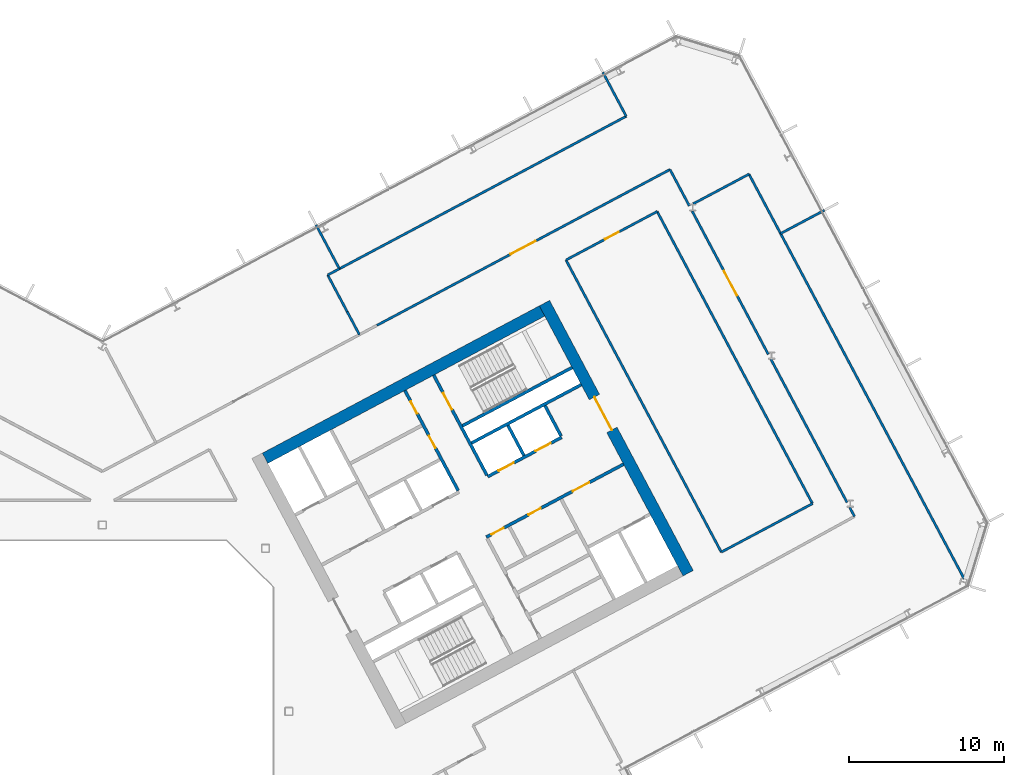
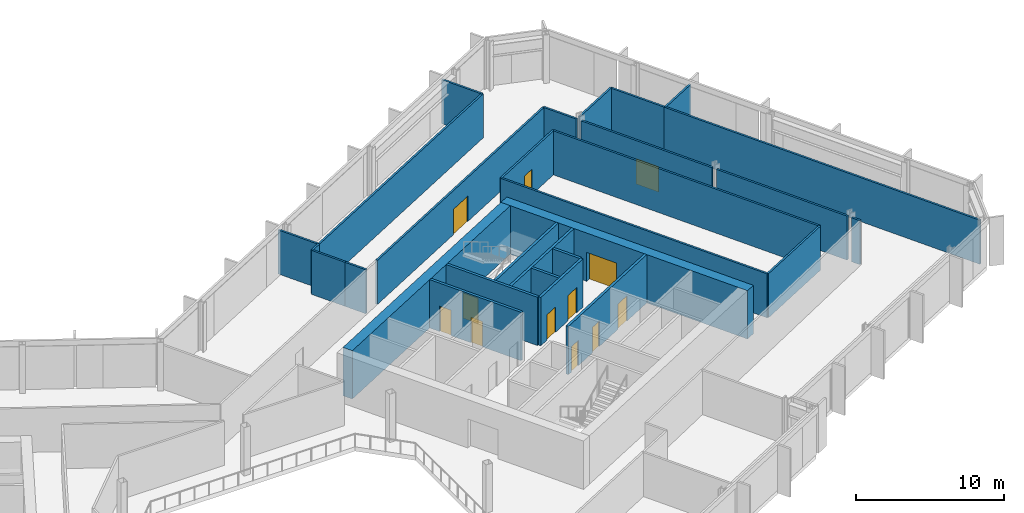
# One storey, part 17 of 28: 29 walls, 12 doors, 12 openings.
"""IFC4 building model written with IfcOpenShell, lengths in metres."""

from ifc_helpers import new_model, si_unit, direction, frame, frame_2d, origin, place, context, subcontext, project, spatial, rectangle, extrude, material, layer, layer_set, type_object, element, fill, save


model = new_model("IFC4")

# Units and contexts
model_context = context("Model", 3, precision=1e-05, world=origin(), true_north=direction((0.0, 1.0)))
body_context = subcontext(model_context, "Body", "Model", "MODEL_VIEW")
ifc_project = project(units=[si_unit("LENGTHUNIT", "METRE"), si_unit("AREAUNIT", "SQUARE_METRE"), si_unit("VOLUMEUNIT", "CUBIC_METRE"), si_unit("PLANEANGLEUNIT", "RADIAN"), si_unit("MASSUNIT", "GRAM", prefix="KILO")], contexts=[model_context])

# Site, building, storey
site_placement = place(None, origin())
site = spatial("IfcSite", under=ifc_project, at=site_placement, CompositionType="ELEMENT")
building_placement = place(site_placement, origin())
building = spatial("IfcBuilding", under=site, at=building_placement, Name="Cormorant Relay Tower", CompositionType="ELEMENT")
storey_placement = place(building_placement, frame((0.0, 0.0, 166.199951171875)))
storey = spatial("IfcBuildingStorey", under=building, at=storey_placement, Name="L35", CompositionType="ELEMENT", Elevation=166.199951171875)

# Wall
ifc_material_1 = material(Name="Concrete 40 MPa", Category="concrete")
ifc_layer_1 = layer(ifc_material_1, 0.199951171875)
ifc_layer_set_1 = layer_set([ifc_layer_1], Name="Core internal wall 200")
wall_type_1 = type_object("IfcWallType", Name="Core internal wall 200", PredefinedType="SOLIDWALL", material=ifc_layer_set_1)
wall_1_placement = place(storey_placement, frame((27.144287109375, 16.471435546875, 0.0), z_axis=(0.0, 0.0, 1.0), x_axis=(-0.469401318492, 0.882984938828, 0.0)))
element("IfcWall", 1, at=wall_1_placement, inside=storey, type_object=wall_type_1, Name="L35 core B shaft and room wall", PredefinedType="SOLIDWALL", context=body_context, shape_type="SweptSolid", body=[
    extrude(rectangle(XDim=2.199951171875, YDim=0.199951171875, at=frame_2d((1.10009765625, 0.0))), origin(), (0.0, 0.0, 1.0), 4.0),
])

# Wall, openings, doors
ifc_material_2 = material(Name="Concrete 50 MPa", Category="concrete")
ifc_layer_2 = layer(ifc_material_2, 0.199951171875)
ifc_layer_set_2 = layer_set([ifc_layer_2], Name="Core shaft wall 200")
wall_type_2 = type_object("IfcWallType", Name="Core shaft wall 200", PredefinedType="SHEAR", material=ifc_layer_set_2)
wall_2_placement = place(storey_placement, frame((22.90625, 14.218017578125, 0.0), z_axis=(0.0, 0.0, 1.0), x_axis=(-0.469480409012, 0.88294288918, 0.0)))
wall_2 = element("IfcWall", 2, at=wall_2_placement, inside=storey, type_object=wall_type_2, Name="L35 core B shaft wall", PredefinedType="SHEAR", context=body_context, shape_type="SweptSolid", body=[
    extrude(rectangle(XDim=7.300048828125, YDim=0.199951171875, at=frame_2d((3.64990234375, 0.0))), origin(), (0.0, 0.0, 1.0), 4.0),
])
opening_1_placement = place(wall_2_placement, frame((3.10009765625, 0.0, 0.0)))
opening_1 = element("IfcOpeningElement", 3, at=opening_1_placement, cuts=wall_2, Name="Opening CDD-215", PredefinedType="OPENING", context=body_context, shape_type="SweptSolid", body=[
    extrude(rectangle(XDim=0.89990234375, YDim=2.10009765625, at=frame_2d((0.449951171875, 1.050048828125))), frame((0.0, 0.10986328125, 0.0), z_axis=(0.0, -1.0, 0.0), x_axis=(1.0, 0.0, 0.0)), (0.0, 0.0, 1.0), 0.219970703125),
])
opening_2_placement = place(wall_2_placement, frame((5.60009765625, 0.0, 0.0)))
opening_2 = element("IfcOpeningElement", 4, at=opening_2_placement, cuts=wall_2, Name="Opening CDD-216", PredefinedType="OPENING", context=body_context, shape_type="SweptSolid", body=[
    extrude(rectangle(XDim=0.89990234375, YDim=2.10009765625, at=frame_2d((0.449951171875, 1.050048828125))), frame((0.0, 0.10986328125, 0.0), z_axis=(0.0, -1.0, 0.0), x_axis=(1.0, 0.0, 0.0)), (0.0, 0.0, 1.0), 0.219970703125),
])
ifc_material_3 = material(Name="Steel fire door", Category="steel")
door_type_1 = type_object("IfcDoorType", Name="Core room door 900x2100", OperationType="SINGLE_SWING_LEFT", PredefinedType="DOOR", material=ifc_material_3)
door_1_placement = place(opening_1_placement, origin())
door_1 = element("IfcDoor", 5, at=door_1_placement, inside=storey, type_object=door_type_1, Name="Core room door 900x2100", OperationType="SINGLE_SWING_RIGHT", OverallHeight=2.10009765625, OverallWidth=0.89990234375, PredefinedType="DOOR", context=body_context, shape_type="SweptSolid", body=[
    extrude(rectangle(XDim=0.89990234375, YDim=2.10009765625, at=frame_2d((0.449951171875, 1.050048828125))), frame((0.0, 0.02490234375, 0.0), z_axis=(0.0, -1.0, 0.0), x_axis=(1.0, 0.0, 0.0)), (0.0, 0.0, 1.0), 0.050048828125),
])
fill(opening_1, door_1)
door_2_placement = place(opening_2_placement, origin())
door_2 = element("IfcDoor", 6, at=door_2_placement, inside=storey, type_object=door_type_1, Name="Core room door 900x2100", OperationType="SINGLE_SWING_LEFT", OverallHeight=2.10009765625, OverallWidth=0.89990234375, PredefinedType="DOOR", context=body_context, shape_type="SweptSolid", body=[
    extrude(rectangle(XDim=0.89990234375, YDim=2.10009765625, at=frame_2d((0.449951171875, 1.050048828125))), frame((0.0, 0.02490234375, 0.0), z_axis=(0.0, -1.0, 0.0), x_axis=(1.0, 0.0, 0.0)), (0.0, 0.0, 1.0), 0.050048828125),
])
fill(opening_2, door_2)

# Wall, opening, door
wall_3_placement = place(storey_placement, frame((24.760498046875, 15.2041015625, 0.0), z_axis=(0.0, 0.0, 1.0), x_axis=(-0.469494272526, 0.882935517501, 0.0)))
wall_3 = element("IfcWall", 7, at=wall_3_placement, inside=storey, type_object=wall_type_2, Name="L35 core B shaft wall", PredefinedType="SHEAR", context=body_context, shape_type="SweptSolid", body=[
    extrude(rectangle(XDim=7.2998046875, YDim=0.199951171875, at=frame_2d((3.64990234375, 0.0))), origin(), (0.0, 0.0, 1.0), 4.0),
])
opening_3_placement = place(wall_3_placement, frame((4.800048828125, 0.0, 0.0)))
opening_3 = element("IfcOpeningElement", 8, at=opening_3_placement, cuts=wall_3, Name="Opening CDB-037", PredefinedType="OPENING", context=body_context, shape_type="SweptSolid", body=[
    extrude(rectangle(XDim=1.199951171875, YDim=2.10009765625, at=frame_2d((0.60009765625, 1.050048828125))), frame((0.0, 0.10986328125, 0.0), z_axis=(0.0, -1.0, 0.0), x_axis=(1.0, 0.0, 0.0)), (0.0, 0.0, 1.0), 0.219970703125),
])
ifc_material_4 = material(Name="Steel fire door", Category="steel")
door_type_2 = type_object("IfcDoorType", Name="Core stair door 1200x2100", OperationType="SINGLE_SWING_LEFT", PredefinedType="DOOR", material=ifc_material_4)
door_3_placement = place(opening_3_placement, frame((1.199951171875, 0.0, 0.0), z_axis=(0.0, 0.0, 1.0), x_axis=(-1.0, 0.0, 0.0)))
door_3 = element("IfcDoor", 9, at=door_3_placement, inside=storey, type_object=door_type_2, Name="Core stair door 1200x2100", OperationType="SINGLE_SWING_RIGHT", OverallHeight=2.10009765625, OverallWidth=1.199951171875, PredefinedType="DOOR", context=body_context, shape_type="SweptSolid", body=[
    extrude(rectangle(XDim=1.199951171875, YDim=2.10009765625, at=frame_2d((0.60009765625, 1.050048828125))), frame((0.0, 0.02490234375, 0.0), z_axis=(0.0, -1.0, 0.0), x_axis=(1.0, 0.0, 0.0)), (0.0, 0.0, 1.0), 0.050048828125),
])
fill(opening_3, door_3)

# Wall
wall_4_placement = place(storey_placement, frame((29.5283203125, 17.739013671875, 0.0), z_axis=(0.0, 0.0, 1.0), x_axis=(-0.469401318492, 0.882984938828, 0.0)))
element("IfcWall", 10, at=wall_4_placement, inside=storey, type_object=wall_type_2, Name="L35 core B shaft wall", PredefinedType="SHEAR", context=body_context, shape_type="SweptSolid", body=[
    extrude(rectangle(XDim=2.199951171875, YDim=0.199951171875, at=frame_2d((1.10009765625, 0.0))), origin(), (0.0, 0.0, 1.0), 4.0),
])

# Wall, openings, doors
wall_5_placement = place(storey_placement, frame((24.72607421875, 11.2216796875, 0.0), z_axis=(0.0, 0.0, 1.0), x_axis=(0.882940221191, 0.469485426614, 0.0)))
wall_5 = element("IfcWall", 11, at=wall_5_placement, inside=storey, type_object=wall_type_2, Name="L35 core B shaft wall", PredefinedType="SHEAR", context=body_context, shape_type="SweptSolid", body=[
    extrude(rectangle(XDim=10.0, YDim=0.199951171875, at=frame_2d((5.0, 0.0))), origin(), (0.0, 0.0, 1.0), 4.0),
])
opening_4_placement = place(wall_5_placement, frame((6.300048828125, 0.0, 0.0)))
opening_4 = element("IfcOpeningElement", 12, at=opening_4_placement, cuts=wall_5, Name="Opening CDC-030", PredefinedType="OPENING", context=body_context, shape_type="SweptSolid", body=[
    extrude(rectangle(XDim=1.199951171875, YDim=2.10009765625, at=frame_2d((0.60009765625, 1.050048828125))), frame((0.0, 0.10986328125, 0.0), z_axis=(0.0, -1.0, 0.0), x_axis=(1.0, 0.0, 0.0)), (0.0, 0.0, 1.0), 0.219970703125),
])
opening_5_placement = place(wall_5_placement, frame((0.360107421875, 0.0, 0.0)))
opening_5 = element("IfcOpeningElement", 13, at=opening_5_placement, cuts=wall_5, Name="Opening CDD-213", PredefinedType="OPENING", context=body_context, shape_type="SweptSolid", body=[
    extrude(rectangle(XDim=0.89990234375, YDim=2.10009765625, at=frame_2d((0.449951171875, 1.050048828125))), frame((0.0, 0.10986328125, 0.0), z_axis=(0.0, -1.0, 0.0), x_axis=(1.0, 0.0, 0.0)), (0.0, 0.0, 1.0), 0.219970703125),
])
opening_6_placement = place(wall_5_placement, frame((3.06005859375, 0.0, 0.0)))
opening_6 = element("IfcOpeningElement", 14, at=opening_6_placement, cuts=wall_5, Name="Opening CDD-214", PredefinedType="OPENING", context=body_context, shape_type="SweptSolid", body=[
    extrude(rectangle(XDim=0.89990234375, YDim=2.10009765625, at=frame_2d((0.449951171875, 1.050048828125))), frame((0.0, 0.10986328125, 0.0), z_axis=(0.0, -1.0, 0.0), x_axis=(1.0, 0.0, 0.0)), (0.0, 0.0, 1.0), 0.219970703125),
])
ifc_material_5 = material(Name="Steel fire door", Category="steel")
door_type_3 = type_object("IfcDoorType", Name="Core lobby door 1200x2100", OperationType="SINGLE_SWING_LEFT", PredefinedType="DOOR", material=ifc_material_5)
door_4_placement = place(opening_4_placement, origin())
door_4 = element("IfcDoor", 15, at=door_4_placement, inside=storey, type_object=door_type_3, Name="Core lobby door 1200x2100", OperationType="SINGLE_SWING_LEFT", OverallHeight=2.10009765625, OverallWidth=1.199951171875, PredefinedType="DOOR", context=body_context, shape_type="SweptSolid", body=[
    extrude(rectangle(XDim=1.199951171875, YDim=2.10009765625, at=frame_2d((0.60009765625, 1.050048828125))), frame((0.0, 0.02490234375, 0.0), z_axis=(0.0, -1.0, 0.0), x_axis=(1.0, 0.0, 0.0)), (0.0, 0.0, 1.0), 0.050048828125),
])
fill(opening_4, door_4)
door_5_placement = place(opening_5_placement, origin())
door_5 = element("IfcDoor", 16, at=door_5_placement, inside=storey, type_object=door_type_1, Name="Core room door 900x2100", OperationType="SINGLE_SWING_LEFT", OverallHeight=2.10009765625, OverallWidth=0.89990234375, PredefinedType="DOOR", context=body_context, shape_type="SweptSolid", body=[
    extrude(rectangle(XDim=0.89990234375, YDim=2.10009765625, at=frame_2d((0.449951171875, 1.050048828125))), frame((0.0, 0.02490234375, 0.0), z_axis=(0.0, -1.0, 0.0), x_axis=(1.0, 0.0, 0.0)), (0.0, 0.0, 1.0), 0.050048828125),
])
fill(opening_5, door_5)
door_6_placement = place(opening_6_placement, origin())
door_6 = element("IfcDoor", 17, at=door_6_placement, inside=storey, type_object=door_type_1, Name="Core room door 900x2100", OperationType="SINGLE_SWING_LEFT", OverallHeight=2.10009765625, OverallWidth=0.89990234375, PredefinedType="DOOR", context=body_context, shape_type="SweptSolid", body=[
    extrude(rectangle(XDim=0.89990234375, YDim=2.10009765625, at=frame_2d((0.449951171875, 1.050048828125))), frame((0.0, 0.02490234375, 0.0), z_axis=(0.0, -1.0, 0.0), x_axis=(1.0, 0.0, 0.0)), (0.0, 0.0, 1.0), 0.050048828125),
])
fill(opening_6, door_6)

wall_6_placement = place(storey_placement, frame((24.807373046875, 15.11572265625, 0.0), z_axis=(0.0, 0.0, 1.0), x_axis=(0.882942972946, 0.469480251476, 0.0)))
wall_6 = element("IfcWall", 18, at=wall_6_placement, inside=storey, type_object=wall_type_2, Name="L35 core B shaft wall", PredefinedType="SHEAR", context=body_context, shape_type="SweptSolid", body=[
    extrude(rectangle(XDim=5.39990234375, YDim=0.199951171875, at=frame_2d((2.699951171875, 0.0))), origin(), (0.0, 0.0, 1.0), 4.0),
])
opening_7_placement = place(wall_6_placement, frame((0.800048828125, 0.0, 0.0)))
opening_7 = element("IfcOpeningElement", 19, at=opening_7_placement, cuts=wall_6, Name="Opening LD1-046", PredefinedType="OPENING", context=body_context, shape_type="SweptSolid", body=[
    extrude(rectangle(XDim=1.10009765625, YDim=2.10009765625, at=frame_2d((0.550048828125, 1.050048828125))), frame((0.0, 0.10986328125, 0.0), z_axis=(0.0, -1.0, 0.0), x_axis=(1.0, 0.0, 0.0)), (0.0, 0.0, 1.0), 0.219970703125),
])
opening_8_placement = place(wall_6_placement, frame((3.5, 0.0, 0.0)))
opening_8 = element("IfcOpeningElement", 20, at=opening_8_placement, cuts=wall_6, Name="Opening LD1-047", PredefinedType="OPENING", context=body_context, shape_type="SweptSolid", body=[
    extrude(rectangle(XDim=1.10009765625, YDim=2.10009765625, at=frame_2d((0.550048828125, 1.050048828125))), frame((0.0, 0.10986328125, 0.0), z_axis=(0.0, -1.0, 0.0), x_axis=(1.0, 0.0, 0.0)), (0.0, 0.0, 1.0), 0.219970703125),
])
ifc_material_6 = material(Name="Stainless steel 316", Category="steel")
door_type_4 = type_object("IfcDoorType", Name="Lift landing door 1100x2100", OperationType="DOUBLE_DOOR_SLIDING", PredefinedType="DOOR", material=ifc_material_6)
door_7_placement = place(opening_7_placement, origin())
door_7 = element("IfcDoor", 21, at=door_7_placement, inside=storey, type_object=door_type_4, Name="LR3 landing door", OperationType="DOUBLE_DOOR_SLIDING", OverallHeight=2.10009765625, OverallWidth=1.10009765625, PredefinedType="DOOR", context=body_context, shape_type="SweptSolid", body=[
    extrude(rectangle(XDim=1.10009765625, YDim=2.10009765625, at=frame_2d((0.550048828125, 1.050048828125))), frame((0.0, 0.02490234375, 0.0), z_axis=(0.0, -1.0, 0.0), x_axis=(1.0, 0.0, 0.0)), (0.0, 0.0, 1.0), 0.050048828125),
])
fill(opening_7, door_7)
door_8_placement = place(opening_8_placement, origin())
door_8 = element("IfcDoor", 22, at=door_8_placement, inside=storey, type_object=door_type_4, Name="LR4 landing door", OperationType="DOUBLE_DOOR_SLIDING", OverallHeight=2.10009765625, OverallWidth=1.10009765625, PredefinedType="DOOR", context=body_context, shape_type="SweptSolid", body=[
    extrude(rectangle(XDim=1.10009765625, YDim=2.10009765625, at=frame_2d((0.550048828125, 1.050048828125))), frame((0.0, 0.02490234375, 0.0), z_axis=(0.0, -1.0, 0.0), x_axis=(1.0, 0.0, 0.0)), (0.0, 0.0, 1.0), 0.050048828125),
])
fill(opening_8, door_8)

# Walls
wall_7_placement = place(storey_placement, frame((23.76904296875, 17.28173828125, 0.0), z_axis=(0.0, 0.0, 1.0), x_axis=(0.882940221191, 0.469485426614, 0.0)))
element("IfcWall", 23, at=wall_7_placement, inside=storey, type_object=wall_type_2, Name="L35 core B shaft wall", PredefinedType="SHEAR", context=body_context, shape_type="SweptSolid", body=[
    extrude(rectangle(XDim=8.0, YDim=0.199951171875, at=frame_2d((4.0, 0.0))), origin(), (0.0, 0.0, 1.0), 4.0),
])
wall_8_placement = place(storey_placement, frame((23.18212890625, 18.385498046875, 0.0), z_axis=(0.0, 0.0, 1.0), x_axis=(0.88295287151, 0.469461634952, 0.0)))
element("IfcWall", 24, at=wall_8_placement, inside=storey, type_object=wall_type_2, Name="L35 core B shaft wall", PredefinedType="SHEAR", context=body_context, shape_type="SweptSolid", body=[
    extrude(rectangle(XDim=7.999755859375, YDim=0.199951171875, at=frame_2d((4.0, 0.0))), origin(), (0.0, 0.0, 1.0), 4.0),
])

# Wall, opening, door
ifc_material_7 = material(Name="Concrete 60 MPa", Category="concrete")
ifc_layer_3 = layer(ifc_material_7, 0.75)
ifc_layer_set_3 = layer_set([ifc_layer_3], Name="Core wall 750")
wall_type_3 = type_object("IfcWallType", Name="Core wall 750", PredefinedType="SHEAR", material=ifc_layer_set_3)
wall_9_placement = place(storey_placement, frame((37.712646484375, 8.896484375, 0.0), z_axis=(0.0, 0.0, 1.0), x_axis=(-0.469469918705, 0.88294846703, 0.0)))
wall_9 = element("IfcWall", 25, at=wall_9_placement, inside=storey, type_object=wall_type_3, Name="L35 core B wall", PredefinedType="SHEAR", context=body_context, shape_type="SweptSolid", body=[
    extrude(rectangle(XDim=19.699951171875, YDim=0.75, at=frame_2d((9.85009765625, 0.0))), origin(), (0.0, 0.0, 1.0), 4.0),
])
opening_9_placement = place(wall_9_placement, frame((10.449951171875, 0.0, 0.0)))
opening_9 = element("IfcOpeningElement", 26, at=opening_9_placement, cuts=wall_9, Name="Opening CDA-029", PredefinedType="OPENING", context=body_context, shape_type="SweptSolid", body=[
    extrude(rectangle(XDim=2.39990234375, YDim=2.39990234375, at=frame_2d((1.199951171875, 1.199951171875))), frame((0.0, 0.385009765625, 0.0), z_axis=(0.0, -1.0, 0.0), x_axis=(1.0, 0.0, 0.0)), (0.0, 0.0, 1.0), 0.77001953125),
])
ifc_material_8 = material(Name="Steel fire door", Category="steel")
door_type_5 = type_object("IfcDoorType", Name="Core lobby door 2400x2400", OperationType="DOUBLE_DOOR_SINGLE_SWING", PredefinedType="DOOR", material=ifc_material_8)
door_9_placement = place(opening_9_placement, origin())
door_9 = element("IfcDoor", 27, at=door_9_placement, inside=storey, type_object=door_type_5, Name="Core lobby door 2400x2400", OperationType="DOUBLE_DOOR_SINGLE_SWING", OverallHeight=2.39990234375, OverallWidth=2.39990234375, PredefinedType="DOOR", context=body_context, shape_type="SweptSolid", body=[
    extrude(rectangle(XDim=2.39990234375, YDim=2.39990234375, at=frame_2d((1.199951171875, 1.199951171875))), frame((0.0, 0.02490234375, 0.0), z_axis=(0.0, -1.0, 0.0), x_axis=(1.0, 0.0, 0.0)), (0.0, 0.0, 1.0), 0.050048828125),
])
fill(opening_9, door_9)

# Walls
wall_10_placement = place(storey_placement, frame((10.4736328125, 16.300048828125, 0.0), z_axis=(0.0, 0.0, 1.0), x_axis=(0.88295010195, 0.469466843842, 0.0)))
element("IfcWall", 28, at=wall_10_placement, inside=storey, type_object=wall_type_3, Name="L35 core B wall", PredefinedType="SHEAR", context=body_context, shape_type="SweptSolid", body=[
    extrude(rectangle(XDim=20.199951171875, YDim=0.75, at=frame_2d((10.10009765625, 0.0))), origin(), (0.0, 0.0, 1.0), 4.0),
])
ifc_material_9 = material(Name="Gypsum board fire partition")
ifc_layer_4 = layer(ifc_material_9, 0.14990234375)
ifc_layer_set_4 = layer_set([ifc_layer_4], Name="Corridor partition 150 EI 60")
wall_type_4 = type_object("IfcWallType", Name="Corridor partition 150 EI 60", PredefinedType="PARTITIONING", material=ifc_layer_set_4)
wall_11_placement = place(storey_placement, frame((37.7890625, 32.555908203125, 0.0), z_axis=(0.0, 0.0, 1.0), x_axis=(-0.469764435481, 0.882791807369, 0.0)))
element("IfcWall", 29, at=wall_11_placement, inside=storey, type_object=wall_type_4, Name="wall/L35/part/062", PredefinedType="PARTITIONING", context=body_context, shape_type="SweptSolid", body=[
    extrude(rectangle(XDim=2.646240234375, YDim=0.14990234375, at=frame_2d((1.3232421875, 0.0))), origin(), (0.0, 0.0, 1.0), 3.64013671875),
])

# Wall, opening, door
wall_12_placement = place(storey_placement, frame((17.677001953125, 24.85888671875, 0.0), z_axis=(0.0, 0.0, 1.0), x_axis=(0.882951785412, 0.469463677655, 0.0)))
wall_12 = element("IfcWall", 30, at=wall_12_placement, inside=storey, type_object=wall_type_4, Name="wall/L35/part/063", PredefinedType="PARTITIONING", context=body_context, shape_type="SweptSolid", body=[
    extrude(rectangle(XDim=21.37158203125, YDim=0.14990234375, at=frame_2d((10.685791015625, 0.0))), origin(), (0.0, 0.0, 1.0), 3.64013671875),
])
opening_10_placement = place(wall_12_placement, frame((9.75, 0.0, 0.0)))
opening_10 = element("IfcOpeningElement", 31, at=opening_10_placement, cuts=wall_12, Name="Opening DD-016", PredefinedType="OPENING", context=body_context, shape_type="SweptSolid", body=[
    extrude(rectangle(XDim=1.800048828125, YDim=2.10009765625, at=frame_2d((0.89990234375, 1.050048828125))), frame((0.0, 0.0849609375, 0.0), z_axis=(0.0, -1.0, 0.0), x_axis=(1.0, 0.0, 0.0)), (0.0, 0.0, 1.0), 0.169921875),
])
ifc_material_10 = material(Name="Timber door leaf", Category="wood")
door_type_6 = type_object("IfcDoorType", Name="Suite double door 1800x2100", OperationType="DOUBLE_DOOR_SINGLE_SWING", PredefinedType="DOOR", material=ifc_material_10)
door_10_placement = place(opening_10_placement, origin())
door_10 = element("IfcDoor", 32, at=door_10_placement, inside=storey, type_object=door_type_6, Name="door/L35/006", OperationType="DOUBLE_DOOR_SINGLE_SWING", OverallHeight=2.10009765625, OverallWidth=1.800048828125, PredefinedType="DOOR", context=body_context, shape_type="SweptSolid", body=[
    extrude(rectangle(XDim=1.800048828125, YDim=2.10009765625, at=frame_2d((0.89990234375, 1.050048828125))), frame((0.0, 0.02490234375, 0.0), z_axis=(0.0, -1.0, 0.0), x_axis=(1.0, 0.0, 0.0)), (0.0, 0.0, 1.0), 0.050048828125),
])
fill(opening_10, door_10)

wall_13_placement = place(storey_placement, frame((37.97412109375, 32.208984375, 0.0), z_axis=(0.0, 0.0, 1.0), x_axis=(0.469434985691, -0.882967040274, 0.0)))
wall_13 = element("IfcWall", 33, at=wall_13_placement, inside=storey, type_object=wall_type_4, Name="wall/L35/part/068", PredefinedType="PARTITIONING", context=body_context, shape_type="SweptSolid", body=[
    extrude(rectangle(XDim=10.442138671875, YDim=0.14990234375, at=frame_2d((5.22119140625, 0.0))), origin(), (0.0, 0.0, 1.0), 3.64013671875),
])
opening_11_placement = place(wall_13_placement, frame((4.35107421875, 0.0, 0.0)))
opening_11 = element("IfcOpeningElement", 34, at=opening_11_placement, cuts=wall_13, Name="Opening DD-015", PredefinedType="OPENING", context=body_context, shape_type="SweptSolid", body=[
    extrude(rectangle(XDim=1.800048828125, YDim=2.10009765625, at=frame_2d((0.89990234375, 1.050048828125))), frame((0.0, 0.0849609375, 0.0), z_axis=(0.0, -1.0, 0.0), x_axis=(1.0, 0.0, 0.0)), (0.0, 0.0, 1.0), 0.169921875),
])
door_11_placement = place(opening_11_placement, origin())
door_11 = element("IfcDoor", 35, at=door_11_placement, inside=storey, type_object=door_type_6, Name="door/L35/005", OperationType="DOUBLE_DOOR_SINGLE_SWING", OverallHeight=2.10009765625, OverallWidth=1.800048828125, PredefinedType="DOOR", context=body_context, shape_type="SweptSolid", body=[
    extrude(rectangle(XDim=1.800048828125, YDim=2.10009765625, at=frame_2d((0.89990234375, 1.050048828125))), frame((0.0, 0.02490234375, 0.0), z_axis=(0.0, -1.0, 0.0), x_axis=(1.0, 0.0, 0.0)), (0.0, 0.0, 1.0), 0.050048828125),
])
fill(opening_11, door_11)

# Walls
wall_14_placement = place(storey_placement, frame((43.0439453125, 22.672119140625, 0.0), z_axis=(0.0, 0.0, 1.0), x_axis=(0.469530755038, -0.882916117235, 0.0)))
element("IfcWall", 36, at=wall_14_placement, inside=storey, type_object=wall_type_4, Name="wall/L35/part/069", PredefinedType="PARTITIONING", context=body_context, shape_type="SweptSolid", body=[
    extrude(rectangle(XDim=10.4404296875, YDim=0.14990234375, at=frame_2d((5.22021484375, 0.0))), origin(), (0.0, 0.0, 1.0), 3.64013671875),
])
wall_15_placement = place(storey_placement, frame((48.114990234375, 13.135986328125, 0.0), z_axis=(0.0, 0.0, 1.0), x_axis=(0.469551655302, -0.882905002253, 0.0)))
element("IfcWall", 37, at=wall_15_placement, inside=storey, type_object=wall_type_4, Name="wall/L35/part/070", PredefinedType="PARTITIONING", context=body_context, shape_type="SweptSolid", body=[
    extrude(rectangle(XDim=0.660400390625, YDim=0.14990234375, at=frame_2d((0.330078125, 0.0))), origin(), (0.0, 0.0, 1.0), 3.64013671875),
])

# Wall, opening, door
wall_16_placement = place(storey_placement, frame((29.84912109375, 29.06494140625, 0.0), z_axis=(0.0, 0.0, 1.0), x_axis=(0.882917406039, 0.469528331535, 0.0)))
wall_16 = element("IfcWall", 38, at=wall_16_placement, inside=storey, type_object=wall_type_4, Name="wall/L35/part/085", PredefinedType="PARTITIONING", context=body_context, shape_type="SweptSolid", body=[
    extrude(rectangle(XDim=6.6494140625, YDim=0.14990234375, at=frame_2d((3.32470703125, 0.0))), origin(), (0.0, 0.0, 1.0), 3.64013671875),
])
opening_12_placement = place(wall_16_placement, frame((2.85009765625, 0.0, 0.0)))
opening_12 = element("IfcOpeningElement", 39, at=opening_12_placement, cuts=wall_16, Name="Opening DS-072", PredefinedType="OPENING", context=body_context, shape_type="SweptSolid", body=[
    extrude(rectangle(XDim=1.0, YDim=2.10009765625, at=frame_2d((0.5, 1.050048828125))), frame((0.0, 0.0849609375, 0.0), z_axis=(0.0, -1.0, 0.0), x_axis=(1.0, 0.0, 0.0)), (0.0, 0.0, 1.0), 0.169921875),
])
ifc_material_11 = material(Name="Timber door leaf", Category="wood")
door_type_7 = type_object("IfcDoorType", Name="Suite door 1000x2100", OperationType="SINGLE_SWING_LEFT", PredefinedType="DOOR", material=ifc_material_11)
door_12_placement = place(opening_12_placement, origin())
door_12 = element("IfcDoor", 40, at=door_12_placement, inside=storey, type_object=door_type_7, Name="door/L35/020", OperationType="SINGLE_SWING_LEFT", OverallHeight=2.10009765625, OverallWidth=1.0, PredefinedType="DOOR", context=body_context, shape_type="SweptSolid", body=[
    extrude(rectangle(XDim=1.0, YDim=2.10009765625, at=frame_2d((0.5, 1.050048828125))), frame((0.0, 0.02490234375, 0.0), z_axis=(0.0, -1.0, 0.0), x_axis=(1.0, 0.0, 0.0)), (0.0, 0.0, 1.0), 0.050048828125),
])
fill(opening_12, door_12)

# Walls
wall_17_placement = place(storey_placement, frame((35.719970703125, 32.18701171875, 0.0), z_axis=(0.0, 0.0, 1.0), x_axis=(0.469474204504, -0.882946188227, 0.0)))
element("IfcWall", 41, at=wall_17_placement, inside=storey, type_object=wall_type_4, Name="wall/L35/part/086", PredefinedType="PARTITIONING", context=body_context, shape_type="SweptSolid", body=[
    extrude(rectangle(XDim=21.300537109375, YDim=0.14990234375, at=frame_2d((10.650390625, 0.0))), origin(), (0.0, 0.0, 1.0), 3.64013671875),
])
wall_18_placement = place(storey_placement, frame((45.719970703125, 13.3798828125, 0.0), z_axis=(0.0, 0.0, 1.0), x_axis=(-0.882973084513, -0.469423616817, 0.0)))
element("IfcWall", 42, at=wall_18_placement, inside=storey, type_object=wall_type_4, Name="wall/L35/part/087", PredefinedType="PARTITIONING", context=body_context, shape_type="SweptSolid", body=[
    extrude(rectangle(XDim=6.650390625, YDim=0.14990234375, at=frame_2d((3.3251953125, 0.0))), origin(), (0.0, 0.0, 1.0), 3.64013671875),
])
wall_19_placement = place(storey_placement, frame((39.847900390625, 10.258056640625, 0.0), z_axis=(0.0, 0.0, 1.0), x_axis=(-0.469434276041, 0.882967417563, 0.0)))
element("IfcWall", 43, at=wall_19_placement, inside=storey, type_object=wall_type_4, Name="wall/L35/part/088", PredefinedType="PARTITIONING", context=body_context, shape_type="SweptSolid", body=[
    extrude(rectangle(XDim=21.299560546875, YDim=0.14990234375, at=frame_2d((10.64990234375, 0.0))), origin(), (0.0, 0.0, 1.0), 3.64013671875),
])
ifc_material_12 = material(Name="Gypsum board partition")
ifc_layer_5 = layer(ifc_material_12, 0.14990234375)
ifc_layer_set_5 = layer_set([ifc_layer_5], Name="Tenant partition 150")
wall_type_5 = type_object("IfcWallType", Name="Tenant partition 150", PredefinedType="PARTITIONING", material=ifc_layer_set_5)
wall_20_placement = place(storey_placement, frame((15.760986328125, 25.739013671875, 0.0), z_axis=(0.0, 0.0, 1.0), x_axis=(0.469318416257, -0.883029005278, 0.0)))
element("IfcWall", 44, at=wall_20_placement, inside=storey, type_object=wall_type_5, Name="wall/L35/part/049", PredefinedType="PARTITIONING", context=body_context, shape_type="SweptSolid", body=[
    extrude(rectangle(XDim=1.67724609375, YDim=0.14990234375, at=frame_2d((0.838623046875, 0.0))), origin(), (0.0, 0.0, 1.0), 3.64013671875),
])
wall_21_placement = place(storey_placement, frame((13.757080078125, 31.324951171875, 0.0), z_axis=(0.0, 0.0, 1.0), x_axis=(0.469685095616, -0.882834022315, 0.0)))
element("IfcWall", 45, at=wall_21_placement, inside=storey, type_object=wall_type_5, Name="wall/L35/part/057", PredefinedType="PARTITIONING", context=body_context, shape_type="SweptSolid", body=[
    extrude(rectangle(XDim=3.199951171875, YDim=0.14990234375, at=frame_2d((1.60009765625, 0.0))), origin(), (0.0, 0.0, 1.0), 3.64013671875),
])
wall_22_placement = place(storey_placement, frame((15.258056640625, 28.4990234375, 0.0), z_axis=(0.0, 0.0, 1.0), x_axis=(0.882939918194, 0.469485996447, 0.0)))
element("IfcWall", 46, at=wall_22_placement, inside=storey, type_object=wall_type_5, Name="wall/L35/part/058", PredefinedType="PARTITIONING", context=body_context, shape_type="SweptSolid", body=[
    extrude(rectangle(XDim=20.918701171875, YDim=0.14990234375, at=frame_2d((10.45947265625, 0.0))), origin(), (0.0, 0.0, 1.0), 3.64013671875),
])
wall_23_placement = place(storey_placement, frame((33.72802734375, 38.320068359375, 0.0), z_axis=(0.0, 0.0, 1.0), x_axis=(-0.469320691295, 0.883027796121, 0.0)))
element("IfcWall", 47, at=wall_23_placement, inside=storey, type_object=wall_type_5, Name="wall/L35/part/059", PredefinedType="PARTITIONING", context=body_context, shape_type="SweptSolid", body=[
    extrude(rectangle(XDim=3.2001953125, YDim=0.14990234375, at=frame_2d((1.60009765625, 0.0))), origin(), (0.0, 0.0, 1.0), 3.64013671875),
])
wall_24_placement = place(storey_placement, frame((15.760986328125, 25.739013671875, 0.0), z_axis=(0.0, 0.0, 1.0), x_axis=(-0.469469065188, 0.882948920851, 0.0)))
element("IfcWall", 48, at=wall_24_placement, inside=storey, type_object=wall_type_5, Name="wall/L35/part/060", PredefinedType="PARTITIONING", context=body_context, shape_type="SweptSolid", body=[
    extrude(rectangle(XDim=2.673095703125, YDim=0.14990234375, at=frame_2d((1.33642578125, 0.0))), origin(), (0.0, 0.0, 1.0), 3.64013671875),
])
wall_25_placement = place(storey_placement, frame((14.506103515625, 28.09912109375, 0.0), z_axis=(0.0, 0.0, 1.0), x_axis=(0.882907789101, 0.469546415113, 0.0)))
element("IfcWall", 49, at=wall_25_placement, inside=storey, type_object=wall_type_5, Name="wall/L35/part/061", PredefinedType="PARTITIONING", context=body_context, shape_type="SweptSolid", body=[
    extrude(rectangle(XDim=0.8515625, YDim=0.14990234375, at=frame_2d((0.42578125, 0.0))), origin(), (0.0, 0.0, 1.0), 3.64013671875),
])
wall_26_placement = place(storey_placement, frame((43.64111328125, 30.81689453125, 0.0), z_axis=(0.0, 0.0, 1.0), x_axis=(-0.469601615988, 0.882878430058, 0.0)))
element("IfcWall", 50, at=wall_26_placement, inside=storey, type_object=wall_type_5, Name="wall/L35/part/072", PredefinedType="PARTITIONING", context=body_context, shape_type="SweptSolid", body=[
    extrude(rectangle(XDim=4.278076171875, YDim=0.14990234375, at=frame_2d((2.13916015625, 0.0))), origin(), (0.0, 0.0, 1.0), 3.64013671875),
])
wall_27_placement = place(storey_placement, frame((41.632080078125, 34.593994140625, 0.0), z_axis=(0.0, 0.0, 1.0), x_axis=(-0.88295491585, -0.469457789984, 0.0)))
element("IfcWall", 51, at=wall_27_placement, inside=storey, type_object=wall_type_5, Name="wall/L35/part/073", PredefinedType="PARTITIONING", context=body_context, shape_type="SweptSolid", body=[
    extrude(rectangle(XDim=4.0703125, YDim=0.14990234375, at=frame_2d((2.03515625, 0.0))), origin(), (0.0, 0.0, 1.0), 3.64013671875),
])
wall_28_placement = place(storey_placement, frame((43.64111328125, 30.81689453125, 0.0), z_axis=(0.0, 0.0, 1.0), x_axis=(0.469460355779, -0.882953551639, 0.0)))
element("IfcWall", 52, at=wall_28_placement, inside=storey, type_object=wall_type_5, Name="wall/L35/part/074", PredefinedType="PARTITIONING", context=body_context, shape_type="SweptSolid", body=[
    extrude(rectangle(XDim=25.23095703125, YDim=0.14990234375, at=frame_2d((12.615478515625, 0.0))), origin(), (0.0, 0.0, 1.0), 3.64013671875),
])
wall_29_placement = place(storey_placement, frame((46.491943359375, 32.27001953125, 0.0), z_axis=(0.0, 0.0, 1.0), x_axis=(-0.883027796121, -0.469320691295, 0.0)))
element("IfcWall", 53, at=wall_29_placement, inside=storey, type_object=wall_type_5, Name="wall/L35/part/075", PredefinedType="PARTITIONING", context=body_context, shape_type="SweptSolid", body=[
    extrude(rectangle(XDim=3.2001953125, YDim=0.14990234375, at=frame_2d((1.60009765625, 0.0))), origin(), (0.0, 0.0, 1.0), 3.64013671875),
])

save(model, "model.ifc")
